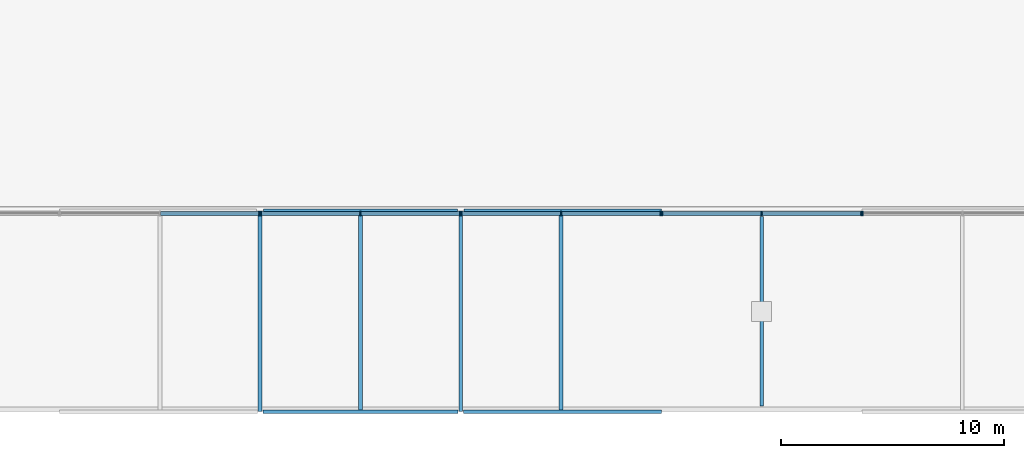
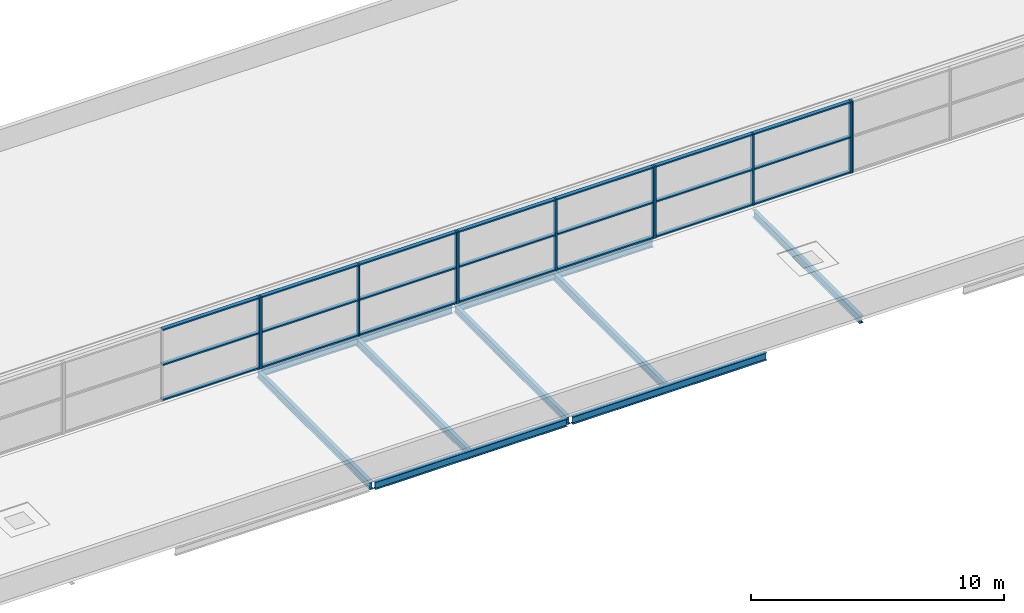
# One storey, part 10 of 50: 32 members, 9 beams, 5 elements without a shape of their own.
"""IFC4 building model written with IfcOpenShell, lengths in metres."""

from ifc_helpers import new_model, si_unit, direction, frame, origin, origin_2d, place, context, subcontext, project, spatial, rectangle, i_section, extrude, material, layer, layer_set, material_profile, profile_set, type_object, element, aggregate, save


model = new_model("IFC4")

# Units and contexts
model_context = context("Model", 3, precision=1e-05, world=origin(), true_north=direction((0.0, 1.0)))
body_context = subcontext(model_context, "Body", "Model", "MODEL_VIEW")
ifc_project = project(units=[si_unit("LENGTHUNIT", "METRE"), si_unit("AREAUNIT", "SQUARE_METRE"), si_unit("VOLUMEUNIT", "CUBIC_METRE"), si_unit("PLANEANGLEUNIT", "RADIAN"), si_unit("MASSUNIT", "GRAM", prefix="KILO")], contexts=[model_context])

# Site, building, storey
site_placement = place(None, origin())
site = spatial("IfcSite", under=ifc_project, at=site_placement, CompositionType="ELEMENT")
building_placement = place(site_placement, origin())
building = spatial("IfcBuilding", under=site, at=building_placement, Name="Corbel Yard City Hall", CompositionType="ELEMENT")
storey_placement = place(building_placement, frame((0.0, 0.0, 15.0)))
storey = spatial("IfcBuildingStorey", under=building, at=storey_placement, Name="L03", CompositionType="ELEMENT", Elevation=15.0)

# Beams
ifc_material_1 = material(Name="Steel Grade 300 (300 MPa yield)", Category="steel")
ifc_material_profile_1 = material_profile(ifc_material_1, i_section(OverallWidth=0.1708984375, OverallDepth=0.35205078125, WebThickness=0.0068359375, FlangeThickness=0.009765625, at=origin_2d()), Name="360UB44.7")
ifc_profile_set_1 = profile_set([ifc_material_profile_1], Name="Steel Grade 300 (300 MPa yield)")
beam_type_1 = type_object("IfcBeamType", Name="Beam 360UB44.7", PredefinedType="BEAM", material=ifc_profile_set_1)
for number, where, z_axis, x_axis, name in (
    (1, (99.0, 0.00439453125, -0.325927734375), (0.0, 1.0, 0.0), (-1.0, 0.0, 0.0), "Beam 360UB44.7 SB13 L03roof"),
    (2, (108.0, 0.00439453125, -0.325927734375), (0.0, 1.0, 0.0), (-1.0, 0.0, 0.0), "Beam 360UB44.7 SB13 L03roof"),
):
    element("IfcBeam", number, at=place(storey_placement, frame(where, z_axis=z_axis, x_axis=x_axis)), inside=storey, type_object=beam_type_1, Name=name, PredefinedType="BEAM", context=body_context, shape_type="SweptSolid", body=[
        extrude(i_section(OverallWidth=0.1708984375, OverallDepth=0.35205078125, WebThickness=0.0068359375, FlangeThickness=0.009765625, at=origin_2d()), origin(), (0.0, 0.0, 1.0), 8.99072265625),
    ])
ifc_material_profile_2 = material_profile(ifc_material_1, i_section(OverallWidth=0.172119140625, OverallDepth=0.35888671875, WebThickness=0.008056640625, FlangeThickness=0.012939453125, at=origin_2d()), Name="360UB56.7")
ifc_profile_set_2 = profile_set([ifc_material_profile_2], Name="Steel Grade 300 (300 MPa yield)")
beam_type_2 = type_object("IfcBeamType", Name="Edge beam 360UB56.7", PredefinedType="BEAM", material=ifc_profile_set_2)
beam_1_placement = place(storey_placement, frame((99.126953125, 0.0, -0.32958984375), z_axis=(1.0, 0.0, 0.0), x_axis=(0.0, 1.0, 0.0)))
element("IfcBeam", 3, at=beam_1_placement, inside=storey, type_object=beam_type_2, Name="Edge beam 360UB56.7 EB4 L03roof", PredefinedType="BEAM", context=body_context, shape_type="SweptSolid", body=[
    extrude(i_section(OverallWidth=0.172119140625, OverallDepth=0.35888671875, WebThickness=0.008056640625, FlangeThickness=0.012939453125, at=origin_2d()), origin(), (0.0, 0.0, 1.0), 8.74609375),
])
beam_2_placement = place(storey_placement, frame((108.126953125, 0.0, -0.32958984375), z_axis=(1.0, 0.0, 0.0), x_axis=(0.0, 1.0, 0.0)))
element("IfcBeam", 4, at=beam_2_placement, inside=storey, type_object=beam_type_2, Name="Edge beam 360UB56.7 EB4 L03roof", PredefinedType="BEAM", context=body_context, shape_type="SweptSolid", body=[
    extrude(i_section(OverallWidth=0.172119140625, OverallDepth=0.35888671875, WebThickness=0.008056640625, FlangeThickness=0.012939453125, at=origin_2d()), origin(), (0.0, 0.0, 1.0), 8.873046875),
])
beam_3_placement = place(storey_placement, frame((99.154052734375, 9.0, -0.32958984375), z_axis=(1.0, 0.0, 0.0), x_axis=(0.0, 1.0, 0.0)))
element("IfcBeam", 5, at=beam_3_placement, inside=storey, type_object=beam_type_2, Name="Edge beam 360UB56.7 EB4 L03roof", PredefinedType="BEAM", context=body_context, shape_type="SweptSolid", body=[
    extrude(i_section(OverallWidth=0.172119140625, OverallDepth=0.35888671875, WebThickness=0.008056640625, FlangeThickness=0.012939453125, at=origin_2d()), origin(), (0.0, 0.0, 1.0), 8.69189453125),
])
beam_4_placement = place(storey_placement, frame((108.154052734375, 9.0, -0.32958984375), z_axis=(1.0, 0.0, 0.0), x_axis=(0.0, 1.0, 0.0)))
element("IfcBeam", 6, at=beam_4_placement, inside=storey, type_object=beam_type_2, Name="Edge beam 360UB56.7 EB4 L03roof", PredefinedType="BEAM", context=body_context, shape_type="SweptSolid", body=[
    extrude(i_section(OverallWidth=0.172119140625, OverallDepth=0.35888671875, WebThickness=0.008056640625, FlangeThickness=0.012939453125, at=origin_2d()), origin(), (0.0, 0.0, 1.0), 8.845947265625),
])

# Curtain wall, member
ifc_material_2 = material(Name="Aluminium extrusion", Category="aluminium")
ifc_layer = layer(ifc_material_2, 0.219970703125)
ifc_layer_set = layer_set([ifc_layer], Name="Aluminium extrusion")
curtain_wall_type = type_object("IfcCurtainWallType", Name="CW5", PredefinedType="USERDEFINED", material=ifc_layer_set)
curtain_wall_1_placement = place(storey_placement, origin())
curtain_wall_1 = element("IfcCurtainWall", 7, at=curtain_wall_1_placement, inside=storey, type_object=curtain_wall_type, Name="Hall south clerestory curtain wall", ObjectType="CURTAIN WALL", PredefinedType="USERDEFINED")
ifc_material_profile_3 = material_profile(ifc_material_2, rectangle(XDim=0.219970703125, YDim=0.06494140625, at=origin_2d()), Name="220x65")
ifc_profile_set_3 = profile_set([ifc_material_profile_3], Name="Aluminium extrusion")
member_type_1 = type_object("IfcMemberType", Name="ML5", PredefinedType="MULLION", material=ifc_profile_set_3)
member_1_placement = place(storey_placement, frame((98.967529296875, 8.889892578125, 0.0), z_axis=(0.0, 0.0, 1.0), x_axis=(0.0, 1.0, 0.0)))
member_1 = element("IfcMember", 8, at=member_1_placement, type_object=member_type_1, Name="CW5 mullion 3", PredefinedType="MULLION", context=body_context, shape_type="SweptSolid", body=[
    extrude(rectangle(XDim=0.219970703125, YDim=0.06494140625, at=origin_2d()), origin(), (0.0, 0.0, 1.0), 3.449951171875),
])

# Curtain wall, members
curtain_wall_2_placement = place(storey_placement, origin())
curtain_wall_2 = element("IfcCurtainWall", 9, at=curtain_wall_2_placement, inside=storey, type_object=curtain_wall_type, Name="Hall south clerestory curtain wall", ObjectType="CURTAIN WALL", PredefinedType="USERDEFINED")
member_2_placement = place(storey_placement, frame((99.032470703125, 8.889892578125, 0.0), z_axis=(0.0, 0.0, 1.0), x_axis=(0.0, 1.0, 0.0)))
member_2 = element("IfcMember", 10, at=member_2_placement, type_object=member_type_1, Name="CW5 mullion 1", PredefinedType="MULLION", context=body_context, shape_type="SweptSolid", body=[
    extrude(rectangle(XDim=0.219970703125, YDim=0.06494140625, at=origin_2d()), origin(), (0.0, 0.0, 1.0), 3.449951171875),
])
member_3_placement = place(storey_placement, frame((103.5, 8.889892578125, 0.0), z_axis=(0.0, 0.0, 1.0), x_axis=(0.0, 1.0, 0.0)))
member_3 = element("IfcMember", 11, at=member_3_placement, type_object=member_type_1, Name="CW5 mullion 2", PredefinedType="MULLION", context=body_context, shape_type="SweptSolid", body=[
    extrude(rectangle(XDim=0.219970703125, YDim=0.06494140625, at=origin_2d()), origin(), (0.0, 0.0, 1.0), 3.449951171875),
])
member_4_placement = place(storey_placement, frame((107.967529296875, 8.889892578125, 0.0), z_axis=(0.0, 0.0, 1.0), x_axis=(0.0, 1.0, 0.0)))
member_4 = element("IfcMember", 12, at=member_4_placement, type_object=member_type_1, Name="CW5 mullion 3", PredefinedType="MULLION", context=body_context, shape_type="SweptSolid", body=[
    extrude(rectangle(XDim=0.219970703125, YDim=0.06494140625, at=origin_2d()), origin(), (0.0, 0.0, 1.0), 3.449951171875),
])

curtain_wall_3_placement = place(storey_placement, origin())
curtain_wall_3 = element("IfcCurtainWall", 13, at=curtain_wall_3_placement, inside=storey, type_object=curtain_wall_type, Name="Hall south clerestory curtain wall", ObjectType="CURTAIN WALL", PredefinedType="USERDEFINED")
member_5_placement = place(storey_placement, frame((108.032470703125, 8.889892578125, 0.0), z_axis=(0.0, 0.0, 1.0), x_axis=(0.0, 1.0, 0.0)))
member_5 = element("IfcMember", 14, at=member_5_placement, type_object=member_type_1, Name="CW5 mullion 1", PredefinedType="MULLION", context=body_context, shape_type="SweptSolid", body=[
    extrude(rectangle(XDim=0.219970703125, YDim=0.06494140625, at=origin_2d()), origin(), (0.0, 0.0, 1.0), 3.449951171875),
])
member_6_placement = place(storey_placement, frame((112.5, 8.889892578125, 0.0), z_axis=(0.0, 0.0, 1.0), x_axis=(0.0, 1.0, 0.0)))
member_6 = element("IfcMember", 15, at=member_6_placement, type_object=member_type_1, Name="CW5 mullion 2", PredefinedType="MULLION", context=body_context, shape_type="SweptSolid", body=[
    extrude(rectangle(XDim=0.219970703125, YDim=0.06494140625, at=origin_2d()), origin(), (0.0, 0.0, 1.0), 3.449951171875),
])
member_7_placement = place(storey_placement, frame((116.967529296875, 8.889892578125, 0.0), z_axis=(0.0, 0.0, 1.0), x_axis=(0.0, 1.0, 0.0)))
member_7 = element("IfcMember", 16, at=member_7_placement, type_object=member_type_1, Name="CW5 mullion 3", PredefinedType="MULLION", context=body_context, shape_type="SweptSolid", body=[
    extrude(rectangle(XDim=0.219970703125, YDim=0.06494140625, at=origin_2d()), origin(), (0.0, 0.0, 1.0), 3.449951171875),
])

curtain_wall_4_placement = place(storey_placement, origin())
curtain_wall_4 = element("IfcCurtainWall", 17, at=curtain_wall_4_placement, inside=storey, type_object=curtain_wall_type, Name="Hall south clerestory curtain wall", ObjectType="CURTAIN WALL", PredefinedType="USERDEFINED")
member_8_placement = place(storey_placement, frame((117.032470703125, 8.889892578125, 0.0), z_axis=(0.0, 0.0, 1.0), x_axis=(0.0, 1.0, 0.0)))
member_8 = element("IfcMember", 18, at=member_8_placement, type_object=member_type_1, Name="CW5 mullion 1", PredefinedType="MULLION", context=body_context, shape_type="SweptSolid", body=[
    extrude(rectangle(XDim=0.219970703125, YDim=0.06494140625, at=origin_2d()), origin(), (0.0, 0.0, 1.0), 3.449951171875),
])
member_9_placement = place(storey_placement, frame((121.5, 8.889892578125, 0.0), z_axis=(0.0, 0.0, 1.0), x_axis=(0.0, 1.0, 0.0)))
member_9 = element("IfcMember", 19, at=member_9_placement, type_object=member_type_1, Name="CW5 mullion 2", PredefinedType="MULLION", context=body_context, shape_type="SweptSolid", body=[
    extrude(rectangle(XDim=0.219970703125, YDim=0.06494140625, at=origin_2d()), origin(), (0.0, 0.0, 1.0), 3.449951171875),
])
member_10_placement = place(storey_placement, frame((125.967529296875, 8.889892578125, 0.0), z_axis=(0.0, 0.0, 1.0), x_axis=(0.0, 1.0, 0.0)))
member_10 = element("IfcMember", 20, at=member_10_placement, type_object=member_type_1, Name="CW5 mullion 3", PredefinedType="MULLION", context=body_context, shape_type="SweptSolid", body=[
    extrude(rectangle(XDim=0.219970703125, YDim=0.06494140625, at=origin_2d()), origin(), (0.0, 0.0, 1.0), 3.449951171875),
])

# Curtain wall, member
curtain_wall_5_placement = place(storey_placement, origin())
curtain_wall_5 = element("IfcCurtainWall", 21, at=curtain_wall_5_placement, inside=storey, type_object=curtain_wall_type, Name="Hall south clerestory curtain wall", ObjectType="CURTAIN WALL", PredefinedType="USERDEFINED")
member_11_placement = place(storey_placement, frame((126.032470703125, 8.889892578125, 0.0), z_axis=(0.0, 0.0, 1.0), x_axis=(0.0, 1.0, 0.0)))
member_11 = element("IfcMember", 22, at=member_11_placement, type_object=member_type_1, Name="CW5 mullion 1", PredefinedType="MULLION", context=body_context, shape_type="SweptSolid", body=[
    extrude(rectangle(XDim=0.219970703125, YDim=0.06494140625, at=origin_2d()), origin(), (0.0, 0.0, 1.0), 3.449951171875),
])
aggregate(curtain_wall_5, [member_11])

# Beams
ifc_material_profile_4 = material_profile(ifc_material_1, i_section(OverallWidth=0.1708984375, OverallDepth=0.35205078125, WebThickness=0.0068359375, FlangeThickness=0.009765625, at=origin_2d()), Name="360UB44.7")
ifc_profile_set_4 = profile_set([ifc_material_profile_4], Name="Steel Grade 300 (300 MPa yield)")
beam_type_3 = type_object("IfcBeamType", Name="Secondary beam 360UB44.7", PredefinedType="JOIST", material=ifc_profile_set_4)
for number, where, z_axis, x_axis, name in (
    (23, (103.5, 0.0859375, -0.325927734375), (0.0, 1.0, 0.0), (-1.0, 0.0, 0.0), "Secondary beam 360UB44.7 SB11 L03roof"),
    (24, (112.5, 0.0859375, -0.325927734375), (0.0, 1.0, 0.0), (-1.0, 0.0, 0.0), "Secondary beam 360UB44.7 SB11 L03roof"),
):
    element("IfcBeam", number, at=place(storey_placement, frame(where, z_axis=z_axis, x_axis=x_axis)), inside=storey, type_object=beam_type_3, Name=name, PredefinedType="JOIST", context=body_context, shape_type="SweptSolid", body=[
        extrude(i_section(OverallWidth=0.1708984375, OverallDepth=0.35205078125, WebThickness=0.0068359375, FlangeThickness=0.009765625, at=origin_2d()), origin(), (0.0, 0.0, 1.0), 8.828125),
    ])
beam_5_placement = place(storey_placement, frame((121.5, 0.25, -0.325927734375), z_axis=(0.0, 1.0, 0.0), x_axis=(-1.0, 0.0, 0.0)))
element("IfcBeam", 25, at=beam_5_placement, inside=storey, type_object=beam_type_3, Name="Core roof beam 360UB44.7 SB11 PC-S3", PredefinedType="JOIST", context=body_context, shape_type="SweptSolid", body=[
    extrude(i_section(OverallWidth=0.1708984375, OverallDepth=0.35205078125, WebThickness=0.0068359375, FlangeThickness=0.009765625, at=origin_2d()), origin(), (0.0, 0.0, 1.0), 8.5),
])

# Member
ifc_material_profile_5 = material_profile(ifc_material_2, rectangle(XDim=0.179931640625, YDim=0.06494140625, at=origin_2d()), Name="180x65")
ifc_profile_set_5 = profile_set([ifc_material_profile_5], Name="Aluminium extrusion")
member_type_2 = type_object("IfcMemberType", Name="TR5", PredefinedType="USERDEFINED", material=ifc_profile_set_5)
member_12_placement = place(storey_placement, frame((94.532470703125, 8.889892578125, 0.032470703125), z_axis=(1.0, 0.0, 0.0), x_axis=(0.0, 1.0, 0.0)))
member_12 = element("IfcMember", 26, at=member_12_placement, type_object=member_type_2, Name="CW5 transom 2.1", ObjectType="TRANSOM", PredefinedType="USERDEFINED", context=body_context, shape_type="SweptSolid", body=[
    extrude(rectangle(XDim=0.179931640625, YDim=0.06494140625, at=origin_2d()), origin(), (0.0, 0.0, 1.0), 4.402587890625),
])

member_13_placement = place(storey_placement, frame((94.532470703125, 8.889892578125, 1.72509765625), z_axis=(1.0, 0.0, 0.0), x_axis=(0.0, 1.0, 0.0)))
member_13 = element("IfcMember", 27, at=member_13_placement, type_object=member_type_2, Name="CW5 transom 2.2", ObjectType="TRANSOM", PredefinedType="USERDEFINED", context=body_context, shape_type="SweptSolid", body=[
    extrude(rectangle(XDim=0.179931640625, YDim=0.06494140625, at=origin_2d()), origin(), (0.0, 0.0, 1.0), 4.402587890625),
])

member_14_placement = place(storey_placement, frame((94.532470703125, 8.889892578125, 3.41748046875), z_axis=(1.0, 0.0, 0.0), x_axis=(0.0, 1.0, 0.0)))
member_14 = element("IfcMember", 28, at=member_14_placement, type_object=member_type_2, Name="CW5 transom 2.3", ObjectType="TRANSOM", PredefinedType="USERDEFINED", context=body_context, shape_type="SweptSolid", body=[
    extrude(rectangle(XDim=0.179931640625, YDim=0.06494140625, at=origin_2d()), origin(), (0.0, 0.0, 1.0), 4.402587890625),
])

aggregate(curtain_wall_1, [member_1, member_12, member_13, member_14])

member_15_placement = place(storey_placement, frame((99.06494140625, 8.889892578125, 0.032470703125), z_axis=(1.0, 0.0, 0.0), x_axis=(0.0, 1.0, 0.0)))
member_15 = element("IfcMember", 29, at=member_15_placement, type_object=member_type_2, Name="CW5 transom 1.1", ObjectType="TRANSOM", PredefinedType="USERDEFINED", context=body_context, shape_type="SweptSolid", body=[
    extrude(rectangle(XDim=0.179931640625, YDim=0.06494140625, at=origin_2d()), origin(), (0.0, 0.0, 1.0), 4.402587890625),
])

member_16_placement = place(storey_placement, frame((99.06494140625, 8.889892578125, 1.72509765625), z_axis=(1.0, 0.0, 0.0), x_axis=(0.0, 1.0, 0.0)))
member_16 = element("IfcMember", 30, at=member_16_placement, type_object=member_type_2, Name="CW5 transom 1.2", ObjectType="TRANSOM", PredefinedType="USERDEFINED", context=body_context, shape_type="SweptSolid", body=[
    extrude(rectangle(XDim=0.179931640625, YDim=0.06494140625, at=origin_2d()), origin(), (0.0, 0.0, 1.0), 4.402587890625),
])

member_17_placement = place(storey_placement, frame((99.06494140625, 8.889892578125, 3.41748046875), z_axis=(1.0, 0.0, 0.0), x_axis=(0.0, 1.0, 0.0)))
member_17 = element("IfcMember", 31, at=member_17_placement, type_object=member_type_2, Name="CW5 transom 1.3", ObjectType="TRANSOM", PredefinedType="USERDEFINED", context=body_context, shape_type="SweptSolid", body=[
    extrude(rectangle(XDim=0.179931640625, YDim=0.06494140625, at=origin_2d()), origin(), (0.0, 0.0, 1.0), 4.402587890625),
])

member_18_placement = place(storey_placement, frame((103.532470703125, 8.889892578125, 0.032470703125), z_axis=(1.0, 0.0, 0.0), x_axis=(0.0, 1.0, 0.0)))
member_18 = element("IfcMember", 32, at=member_18_placement, type_object=member_type_2, Name="CW5 transom 2.1", ObjectType="TRANSOM", PredefinedType="USERDEFINED", context=body_context, shape_type="SweptSolid", body=[
    extrude(rectangle(XDim=0.179931640625, YDim=0.06494140625, at=origin_2d()), origin(), (0.0, 0.0, 1.0), 4.402587890625),
])

member_19_placement = place(storey_placement, frame((103.532470703125, 8.889892578125, 1.72509765625), z_axis=(1.0, 0.0, 0.0), x_axis=(0.0, 1.0, 0.0)))
member_19 = element("IfcMember", 33, at=member_19_placement, type_object=member_type_2, Name="CW5 transom 2.2", ObjectType="TRANSOM", PredefinedType="USERDEFINED", context=body_context, shape_type="SweptSolid", body=[
    extrude(rectangle(XDim=0.179931640625, YDim=0.06494140625, at=origin_2d()), origin(), (0.0, 0.0, 1.0), 4.402587890625),
])

member_20_placement = place(storey_placement, frame((103.532470703125, 8.889892578125, 3.41748046875), z_axis=(1.0, 0.0, 0.0), x_axis=(0.0, 1.0, 0.0)))
member_20 = element("IfcMember", 34, at=member_20_placement, type_object=member_type_2, Name="CW5 transom 2.3", ObjectType="TRANSOM", PredefinedType="USERDEFINED", context=body_context, shape_type="SweptSolid", body=[
    extrude(rectangle(XDim=0.179931640625, YDim=0.06494140625, at=origin_2d()), origin(), (0.0, 0.0, 1.0), 4.402587890625),
])

aggregate(curtain_wall_2, [member_2, member_3, member_4, member_15, member_16, member_17, member_18, member_19, member_20])

member_21_placement = place(storey_placement, frame((108.06494140625, 8.889892578125, 0.032470703125), z_axis=(1.0, 0.0, 0.0), x_axis=(0.0, 1.0, 0.0)))
member_21 = element("IfcMember", 35, at=member_21_placement, type_object=member_type_2, Name="CW5 transom 1.1", ObjectType="TRANSOM", PredefinedType="USERDEFINED", context=body_context, shape_type="SweptSolid", body=[
    extrude(rectangle(XDim=0.179931640625, YDim=0.06494140625, at=origin_2d()), origin(), (0.0, 0.0, 1.0), 4.402587890625),
])

member_22_placement = place(storey_placement, frame((108.06494140625, 8.889892578125, 1.72509765625), z_axis=(1.0, 0.0, 0.0), x_axis=(0.0, 1.0, 0.0)))
member_22 = element("IfcMember", 36, at=member_22_placement, type_object=member_type_2, Name="CW5 transom 1.2", ObjectType="TRANSOM", PredefinedType="USERDEFINED", context=body_context, shape_type="SweptSolid", body=[
    extrude(rectangle(XDim=0.179931640625, YDim=0.06494140625, at=origin_2d()), origin(), (0.0, 0.0, 1.0), 4.402587890625),
])

member_23_placement = place(storey_placement, frame((108.06494140625, 8.889892578125, 3.41748046875), z_axis=(1.0, 0.0, 0.0), x_axis=(0.0, 1.0, 0.0)))
member_23 = element("IfcMember", 37, at=member_23_placement, type_object=member_type_2, Name="CW5 transom 1.3", ObjectType="TRANSOM", PredefinedType="USERDEFINED", context=body_context, shape_type="SweptSolid", body=[
    extrude(rectangle(XDim=0.179931640625, YDim=0.06494140625, at=origin_2d()), origin(), (0.0, 0.0, 1.0), 4.402587890625),
])

member_24_placement = place(storey_placement, frame((112.532470703125, 8.889892578125, 0.032470703125), z_axis=(1.0, 0.0, 0.0), x_axis=(0.0, 1.0, 0.0)))
member_24 = element("IfcMember", 38, at=member_24_placement, type_object=member_type_2, Name="CW5 transom 2.1", ObjectType="TRANSOM", PredefinedType="USERDEFINED", context=body_context, shape_type="SweptSolid", body=[
    extrude(rectangle(XDim=0.179931640625, YDim=0.06494140625, at=origin_2d()), origin(), (0.0, 0.0, 1.0), 4.402587890625),
])

member_25_placement = place(storey_placement, frame((112.532470703125, 8.889892578125, 1.72509765625), z_axis=(1.0, 0.0, 0.0), x_axis=(0.0, 1.0, 0.0)))
member_25 = element("IfcMember", 39, at=member_25_placement, type_object=member_type_2, Name="CW5 transom 2.2", ObjectType="TRANSOM", PredefinedType="USERDEFINED", context=body_context, shape_type="SweptSolid", body=[
    extrude(rectangle(XDim=0.179931640625, YDim=0.06494140625, at=origin_2d()), origin(), (0.0, 0.0, 1.0), 4.402587890625),
])

member_26_placement = place(storey_placement, frame((112.532470703125, 8.889892578125, 3.41748046875), z_axis=(1.0, 0.0, 0.0), x_axis=(0.0, 1.0, 0.0)))
member_26 = element("IfcMember", 40, at=member_26_placement, type_object=member_type_2, Name="CW5 transom 2.3", ObjectType="TRANSOM", PredefinedType="USERDEFINED", context=body_context, shape_type="SweptSolid", body=[
    extrude(rectangle(XDim=0.179931640625, YDim=0.06494140625, at=origin_2d()), origin(), (0.0, 0.0, 1.0), 4.402587890625),
])

aggregate(curtain_wall_3, [member_5, member_6, member_7, member_21, member_22, member_23, member_24, member_25, member_26])

member_27_placement = place(storey_placement, frame((117.06494140625, 8.889892578125, 0.032470703125), z_axis=(1.0, 0.0, 0.0), x_axis=(0.0, 1.0, 0.0)))
member_27 = element("IfcMember", 41, at=member_27_placement, type_object=member_type_2, Name="CW5 transom 1.1", ObjectType="TRANSOM", PredefinedType="USERDEFINED", context=body_context, shape_type="SweptSolid", body=[
    extrude(rectangle(XDim=0.179931640625, YDim=0.06494140625, at=origin_2d()), origin(), (0.0, 0.0, 1.0), 4.402587890625),
])

member_28_placement = place(storey_placement, frame((117.06494140625, 8.889892578125, 1.72509765625), z_axis=(1.0, 0.0, 0.0), x_axis=(0.0, 1.0, 0.0)))
member_28 = element("IfcMember", 42, at=member_28_placement, type_object=member_type_2, Name="CW5 transom 1.2", ObjectType="TRANSOM", PredefinedType="USERDEFINED", context=body_context, shape_type="SweptSolid", body=[
    extrude(rectangle(XDim=0.179931640625, YDim=0.06494140625, at=origin_2d()), origin(), (0.0, 0.0, 1.0), 4.402587890625),
])

member_29_placement = place(storey_placement, frame((117.06494140625, 8.889892578125, 3.41748046875), z_axis=(1.0, 0.0, 0.0), x_axis=(0.0, 1.0, 0.0)))
member_29 = element("IfcMember", 43, at=member_29_placement, type_object=member_type_2, Name="CW5 transom 1.3", ObjectType="TRANSOM", PredefinedType="USERDEFINED", context=body_context, shape_type="SweptSolid", body=[
    extrude(rectangle(XDim=0.179931640625, YDim=0.06494140625, at=origin_2d()), origin(), (0.0, 0.0, 1.0), 4.402587890625),
])

member_30_placement = place(storey_placement, frame((121.532470703125, 8.889892578125, 0.032470703125), z_axis=(1.0, 0.0, 0.0), x_axis=(0.0, 1.0, 0.0)))
member_30 = element("IfcMember", 44, at=member_30_placement, type_object=member_type_2, Name="CW5 transom 2.1", ObjectType="TRANSOM", PredefinedType="USERDEFINED", context=body_context, shape_type="SweptSolid", body=[
    extrude(rectangle(XDim=0.179931640625, YDim=0.06494140625, at=origin_2d()), origin(), (0.0, 0.0, 1.0), 4.402587890625),
])

member_31_placement = place(storey_placement, frame((121.532470703125, 8.889892578125, 1.72509765625), z_axis=(1.0, 0.0, 0.0), x_axis=(0.0, 1.0, 0.0)))
member_31 = element("IfcMember", 45, at=member_31_placement, type_object=member_type_2, Name="CW5 transom 2.2", ObjectType="TRANSOM", PredefinedType="USERDEFINED", context=body_context, shape_type="SweptSolid", body=[
    extrude(rectangle(XDim=0.179931640625, YDim=0.06494140625, at=origin_2d()), origin(), (0.0, 0.0, 1.0), 4.402587890625),
])

member_32_placement = place(storey_placement, frame((121.532470703125, 8.889892578125, 3.41748046875), z_axis=(1.0, 0.0, 0.0), x_axis=(0.0, 1.0, 0.0)))
member_32 = element("IfcMember", 46, at=member_32_placement, type_object=member_type_2, Name="CW5 transom 2.3", ObjectType="TRANSOM", PredefinedType="USERDEFINED", context=body_context, shape_type="SweptSolid", body=[
    extrude(rectangle(XDim=0.179931640625, YDim=0.06494140625, at=origin_2d()), origin(), (0.0, 0.0, 1.0), 4.402587890625),
])

aggregate(curtain_wall_4, [member_8, member_9, member_10, member_27, member_28, member_29, member_30, member_31, member_32])

save(model, "model.ifc")
